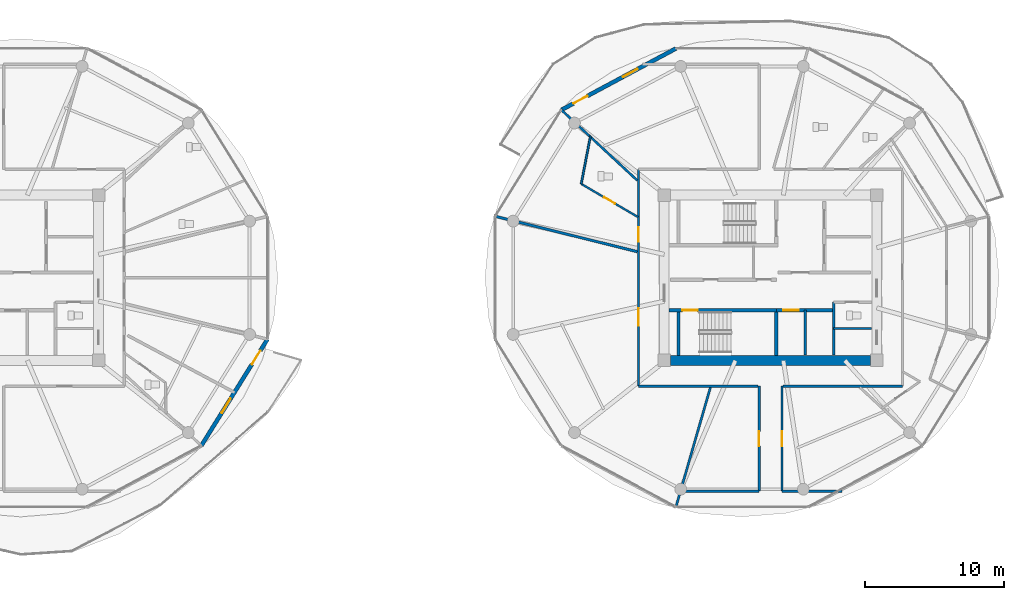
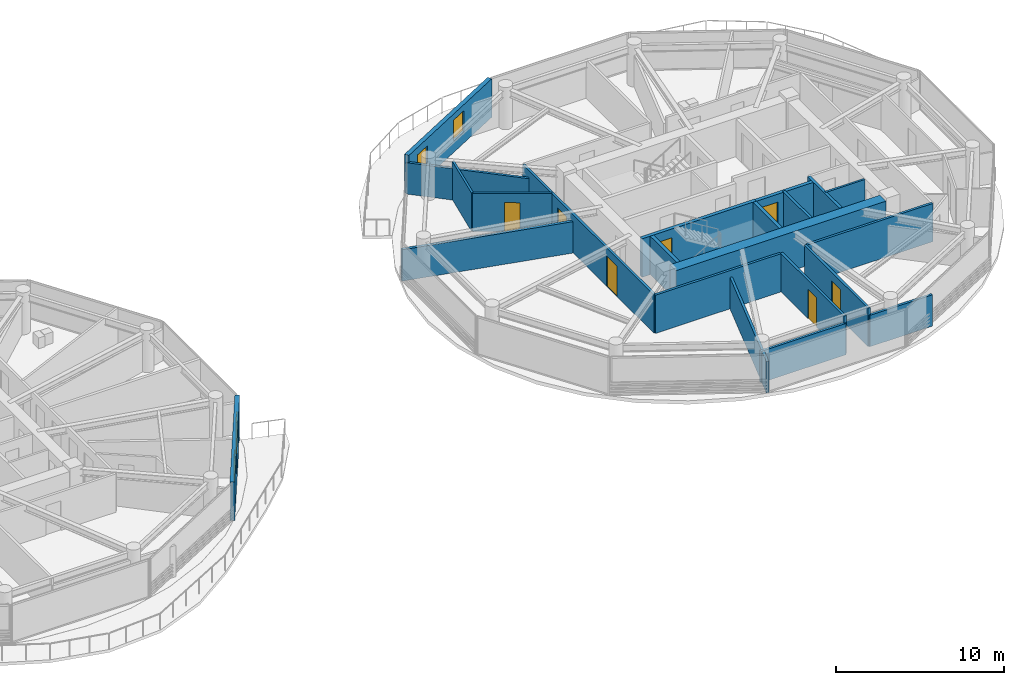
# One storey, part 15 of 24: 22 walls, 9 doors, 2 windows, 11 openings.
"""IFC4 building model written with IfcOpenShell, lengths in metres."""

from ifc_helpers import new_model, si_unit, direction, frame, frame_2d, origin, place, context, subcontext, project, spatial, rectangle, extrude, source, transform, mapped, material, layer, layer_set, type_object, type_shapes, element, fill, save


model = new_model("IFC4")

# Units and contexts
model_context = context("Model", 3, precision=1e-05, world=origin(), true_north=direction((0.0, 1.0)))
body_context = subcontext(model_context, "Body", "Model", "MODEL_VIEW")
ifc_project = project(units=[si_unit("LENGTHUNIT", "METRE"), si_unit("AREAUNIT", "SQUARE_METRE"), si_unit("VOLUMEUNIT", "CUBIC_METRE"), si_unit("PLANEANGLEUNIT", "RADIAN"), si_unit("MASSUNIT", "GRAM", prefix="KILO")], contexts=[model_context])

# Site, building, storey
site_placement = place(None, origin())
site = spatial("IfcSite", under=ifc_project, at=site_placement, CompositionType="ELEMENT")
building_placement = place(site_placement, origin())
building = spatial("IfcBuilding", under=site, at=building_placement, Name="Norrkilde Senior Care Towers", CompositionType="ELEMENT")
storey_placement = place(building_placement, frame((0.0, 0.0, 114.550048828125)))
storey = spatial("IfcBuildingStorey", under=building, at=storey_placement, Name="L35", CompositionType="ELEMENT", Elevation=114.550048828125)

# Wall
ifc_material_1 = material(Name="Concrete C60/75", Category="concrete")
ifc_layer_1 = layer(ifc_material_1, 0.719970703125)
ifc_layer_set_1 = layer_set([ifc_layer_1], Name="Concrete C60/75")
wall_type_1 = type_object("IfcWallType", Name="Core Shear Wall Z2 720", PredefinedType="SHEAR", material=ifc_layer_set_1)
shared_shape_1 = source(origin(), body_context, "Body", "SweptSolid", [
    extrude(rectangle(XDim=14.39990234375, YDim=0.719970703125, at=frame_2d((7.199951171875, 0.0))), origin(), (0.0, 0.0, 1.0), 2.7900390625),
])
type_shapes(wall_type_1, [shared_shape_1])
wall_1_placement = place(storey_placement, frame((35.199951171875, -5.949951171875, 0.0), z_axis=(0.0, 0.0, 1.0), x_axis=(-1.0, 0.0, 0.0)))
element("IfcWall", 1, at=wall_1_placement, inside=storey, type_object=wall_type_1, Name="L35 Core E South Shear Wall", PredefinedType="SHEAR", context=body_context, shape_type="MappedRepresentation", body=[
    mapped(shared_shape_1, transform((0.0, 0.0, 0.0), x_axis=(1.0, 0.0, 0.0), y_axis=(0.0, 1.0, 0.0), z_axis=(0.0, 0.0, 1.0), scale=1.0)),
])

# Wall, openings, door, window
ifc_material_2 = material(Name="Precast concrete C45/55", Category="concrete")
ifc_layer_2 = layer(ifc_material_2, 0.2900390625)
ifc_layer_set_2 = layer_set([ifc_layer_2], Name="Precast concrete C45/55")
wall_type_2 = type_object("IfcWallType", Name="Winter Garden Facade Wall 290", PredefinedType="SOLIDWALL", material=ifc_layer_set_2)
shared_shape_2 = source(origin(), body_context, "Body", "SweptSolid", [
    extrude(rectangle(XDim=9.3505859375, YDim=0.2900390625, at=frame_2d((4.67529296875, 0.0))), origin(), (0.0, 0.0, 1.0), 2.7900390625),
])
wall_2_placement = place(storey_placement, frame((12.953369140625, 12.077392578125, 0.0), z_axis=(0.0, 0.0, 1.0), x_axis=(0.881184411073, 0.472772708267, 0.0)))
wall_2 = element("IfcWall", 2, at=wall_2_placement, inside=storey, type_object=wall_type_2, Name="L35 Drum E Balcony Access Wall 03", PredefinedType="SOLIDWALL", context=body_context, shape_type="MappedRepresentation", body=[
    mapped(shared_shape_2, transform((0.0, 0.0, 0.0), x_axis=(1.0, 0.0, 0.0), y_axis=(0.0, 1.0, 0.0), z_axis=(0.0, 0.0, 1.0), scale=1.0)),
])
opening_1_placement = place(wall_2_placement, frame((0.97998046875, 0.0, 0.0)))
opening_1 = element("IfcOpeningElement", 3, at=opening_1_placement, cuts=wall_2, Name="Opening D-09", PredefinedType="OPENING", context=body_context, shape_type="SweptSolid", body=[
    extrude(rectangle(XDim=1.14990234375, YDim=2.25, at=frame_2d((0.574951171875, 1.125))), frame((0.0, 0.155029296875, 0.0), z_axis=(0.0, -1.0, 0.0), x_axis=(1.0, 0.0, 0.0)), (0.0, 0.0, 1.0), 0.31005859375),
])
opening_2_placement = place(wall_2_placement, frame((5.025146484375, 0.0, 0.85009765625)))
opening_2 = element("IfcOpeningElement", 4, at=opening_2_placement, cuts=wall_2, Name="Opening WN-07", PredefinedType="OPENING", context=body_context, shape_type="SweptSolid", body=[
    extrude(rectangle(XDim=1.199951171875, YDim=1.5, at=frame_2d((0.60009765625, 0.75))), frame((0.0, 0.155029296875, 0.0), z_axis=(0.0, -1.0, 0.0), x_axis=(1.0, 0.0, 0.0)), (0.0, 0.0, 1.0), 0.31005859375),
])
ifc_material_3 = material(Name="Anodised Aluminium", Category="aluminium")
door_type_1 = type_object("IfcDoorType", Name="Terrace and Balcony Glazed Door 1150x2250", OperationType="NOTDEFINED", PredefinedType="DOOR", material=ifc_material_3)
shared_shape_3 = source(origin(), body_context, "Body", "SweptSolid", [
    extrude(rectangle(XDim=1.14990234375, YDim=2.25, at=frame_2d((0.574951171875, 1.125))), frame((0.0, 0.02490234375, 0.0), z_axis=(0.0, -1.0, 0.0), x_axis=(1.0, 0.0, 0.0)), (0.0, 0.0, 1.0), 0.050048828125),
])
type_shapes(door_type_1, [shared_shape_3])
door_1_placement = place(opening_1_placement, origin())
door_1 = element("IfcDoor", 5, at=door_1_placement, inside=storey, type_object=door_type_1, Name="L35 Drum E Outdoor Terrace Door 03", OperationType="SINGLE_SWING_RIGHT", OverallHeight=2.25, OverallWidth=1.14990234375, PredefinedType="DOOR", context=body_context, shape_type="MappedRepresentation", body=[
    mapped(shared_shape_3, transform((0.0, 0.0, 0.0), x_axis=(1.0, 0.0, 0.0), y_axis=(0.0, 1.0, 0.0), z_axis=(0.0, 0.0, 1.0), scale=1.0)),
])
fill(opening_1, door_1)
ifc_material_4 = material(Name="Triple Low-E Insulated Glazing", Category="glass")
window_type = type_object("IfcWindowType", Name="Stairwell Smoke Vent Window 1200x1500", PartitioningType="SINGLE_PANEL", PredefinedType="WINDOW", material=ifc_material_4)
shared_shape_4 = source(origin(), body_context, "Body", "SweptSolid", [
    extrude(rectangle(XDim=1.199951171875, YDim=1.5, at=frame_2d((0.60009765625, 0.75))), frame((0.0, 0.030029296875, 0.0), z_axis=(0.0, -1.0, 0.0), x_axis=(1.0, 0.0, 0.0)), (0.0, 0.0, 1.0), 0.06005859375),
])
type_shapes(window_type, [shared_shape_4])
window_1_placement = place(opening_2_placement, origin())
window_1 = element("IfcWindow", 6, at=window_1_placement, inside=storey, type_object=window_type, Name="L35 Drum E Winter Garden Window 03", OverallHeight=1.5, OverallWidth=1.199951171875, PartitioningType="SINGLE_PANEL", PredefinedType="WINDOW", context=body_context, shape_type="MappedRepresentation", body=[
    mapped(shared_shape_4, transform((0.0, 0.0, 0.0), x_axis=(1.0, 0.0, 0.0), y_axis=(0.0, 1.0, 0.0), z_axis=(0.0, 0.0, 1.0), scale=1.0)),
])
fill(opening_2, window_1)

shared_shape_5 = source(origin(), body_context, "Body", "SweptSolid", [
    extrude(rectangle(XDim=9.01416015625, YDim=0.2900390625, at=frame_2d((4.507080078125, 0.0))), origin(), (0.0, 0.0, 1.0), 2.7900390625),
])
type_shapes(wall_type_2, [shared_shape_2, shared_shape_5])
wall_3_placement = place(storey_placement, frame((-8.1962890625, -4.420654296875, 0.0), z_axis=(0.0, 0.0, 1.0), x_axis=(-0.527732945084, -0.849410347637, 0.0)))
wall_3 = element("IfcWall", 7, at=wall_3_placement, inside=storey, type_object=wall_type_2, Name="L35 Drum W Balcony Access Wall 10", PredefinedType="SOLIDWALL", context=body_context, shape_type="MappedRepresentation", body=[
    mapped(shared_shape_5, transform((0.0, 0.0, 0.0), x_axis=(1.0, 0.0, 0.0), y_axis=(0.0, 1.0, 0.0), z_axis=(0.0, 0.0, 1.0), scale=1.0)),
])
opening_3_placement = place(wall_3_placement, frame((0.97998046875, 0.0, 0.0)))
opening_3 = element("IfcOpeningElement", 8, at=opening_3_placement, cuts=wall_3, Name="Opening D-09", PredefinedType="OPENING", context=body_context, shape_type="SweptSolid", body=[
    extrude(rectangle(XDim=1.14990234375, YDim=2.25, at=frame_2d((0.574951171875, 1.125))), frame((0.0, 0.155029296875, 0.0), z_axis=(0.0, -1.0, 0.0), x_axis=(1.0, 0.0, 0.0)), (0.0, 0.0, 1.0), 0.31005859375),
])
opening_4_placement = place(wall_3_placement, frame((5.037109375, 0.0, 0.85009765625)))
opening_4 = element("IfcOpeningElement", 9, at=opening_4_placement, cuts=wall_3, Name="Opening WN-07", PredefinedType="OPENING", context=body_context, shape_type="SweptSolid", body=[
    extrude(rectangle(XDim=1.199951171875, YDim=1.5, at=frame_2d((0.60009765625, 0.75))), frame((0.0, 0.155029296875, 0.0), z_axis=(0.0, -1.0, 0.0), x_axis=(1.0, 0.0, 0.0)), (0.0, 0.0, 1.0), 0.31005859375),
])
door_2_placement = place(opening_3_placement, origin())
door_2 = element("IfcDoor", 10, at=door_2_placement, inside=storey, type_object=door_type_1, Name="L35 Drum W Outdoor Terrace Door 10", OperationType="SINGLE_SWING_LEFT", OverallHeight=2.25, OverallWidth=1.14990234375, PredefinedType="DOOR", context=body_context, shape_type="MappedRepresentation", body=[
    mapped(shared_shape_3, transform((0.0, 0.0, 0.0), x_axis=(1.0, 0.0, 0.0), y_axis=(0.0, 1.0, 0.0), z_axis=(0.0, 0.0, 1.0), scale=1.0)),
])
fill(opening_3, door_2)
window_2_placement = place(opening_4_placement, origin())
window_2 = element("IfcWindow", 11, at=window_2_placement, inside=storey, type_object=window_type, Name="L35 Drum W Winter Garden Window 10", OverallHeight=1.5, OverallWidth=1.199951171875, PartitioningType="SINGLE_PANEL", PredefinedType="WINDOW", context=body_context, shape_type="MappedRepresentation", body=[
    mapped(shared_shape_4, transform((0.0, 0.0, 0.0), x_axis=(1.0, 0.0, 0.0), y_axis=(0.0, 1.0, 0.0), z_axis=(0.0, 0.0, 1.0), scale=1.0)),
])
fill(opening_4, window_2)

# Wall
ifc_material_5 = material(Name="Concrete C45/55", Category="concrete")
ifc_layer_3 = layer(ifc_material_5, 0.199951171875)
ifc_layer_set_3 = layer_set([ifc_layer_3], Name="Concrete C45/55")
wall_type_3 = type_object("IfcWallType", Name="Shaft Division and Plant Partition 200", PredefinedType="PARTITIONING", material=ifc_layer_set_3)
shared_shape_6 = source(origin(), body_context, "Body", "SweptSolid", [
    extrude(rectangle(XDim=3.800048828125, YDim=0.199951171875, at=frame_2d((1.89990234375, 0.0))), origin(), (0.0, 0.0, 1.0), 2.77490234375),
])
type_shapes(wall_type_3, [shared_shape_6])
wall_4_placement = place(storey_placement, frame((32.550048828125, -5.550048828125, 0.0), z_axis=(0.0, 0.0, 1.0), x_axis=(0.0, 1.0, 0.0)))
element("IfcWall", 12, at=wall_4_placement, inside=storey, type_object=wall_type_3, Name="WL-INT-L35-E-PKBE", PredefinedType="PARTITIONING", context=body_context, shape_type="MappedRepresentation", body=[
    mapped(shared_shape_6, transform((0.0, 0.0, 0.0), x_axis=(1.0, 0.0, 0.0), y_axis=(0.0, 1.0, 0.0), z_axis=(0.0, 0.0, 1.0), scale=1.0)),
])

# Wall, opening, door
ifc_layer_4 = layer(ifc_material_5, 0.239990234375)
ifc_layer_set_4 = layer_set([ifc_layer_4], Name="Concrete C45/55")
wall_type_4 = type_object("IfcWallType", Name="Lift and Plant Rated Enclosure Partition 240", PredefinedType="PARTITIONING", material=ifc_layer_set_4)
shared_shape_7 = source(origin(), body_context, "Body", "SweptSolid", [
    extrude(rectangle(XDim=4.130126953125, YDim=0.239990234375, at=frame_2d((2.06494140625, 0.0))), origin(), (0.0, 0.0, 1.0), 2.77490234375),
])
type_shapes(wall_type_4, [shared_shape_7])
wall_5_placement = place(storey_placement, frame((28.419921875, -2.330078125, 0.0), z_axis=(0.0, 0.0, 1.0), x_axis=(1.0, 0.0, 0.0)))
wall_5 = element("IfcWall", 13, at=wall_5_placement, inside=storey, type_object=wall_type_4, Name="WL-INT-L35-E-PKBN", PredefinedType="PARTITIONING", context=body_context, shape_type="MappedRepresentation", body=[
    mapped(shared_shape_7, transform((0.0, 0.0, 0.0), x_axis=(1.0, 0.0, 0.0), y_axis=(0.0, 1.0, 0.0), z_axis=(0.0, 0.0, 1.0), scale=1.0)),
])
opening_5_placement = place(wall_5_placement, frame((0.5, 0.0, 0.0)))
opening_5 = element("IfcOpeningElement", 14, at=opening_5_placement, cuts=wall_5, Name="Opening LD-01", PredefinedType="OPENING", context=body_context, shape_type="SweptSolid", body=[
    extrude(rectangle(XDim=1.10009765625, YDim=2.199951171875, at=frame_2d((0.550048828125, 1.10009765625))), frame((0.0, 0.1298828125, 0.0), z_axis=(0.0, -1.0, 0.0), x_axis=(1.0, 0.0, 0.0)), (0.0, 0.0, 1.0), 0.260009765625),
])
ifc_material_6 = material(Name="Stainless Steel", Category="steel")
door_type_2 = type_object("IfcDoorType", Name="Lift Landing Sliding Door 1100x2200", OperationType="NOTDEFINED", PredefinedType="DOOR", material=ifc_material_6)
shared_shape_8 = source(origin(), body_context, "Body", "SweptSolid", [
    extrude(rectangle(XDim=1.10009765625, YDim=2.199951171875, at=frame_2d((0.550048828125, 1.10009765625))), frame((0.0, 0.02490234375, 0.0), z_axis=(0.0, -1.0, 0.0), x_axis=(1.0, 0.0, 0.0)), (0.0, 0.0, 1.0), 0.050048828125),
])
type_shapes(door_type_2, [shared_shape_8])
door_3_placement = place(opening_5_placement, frame((1.10009765625, 0.0, 0.0), z_axis=(0.0, 0.0, 1.0), x_axis=(-1.0, 0.0, 0.0)))
door_3 = element("IfcDoor", 15, at=door_3_placement, inside=storey, type_object=door_type_2, Name="L35 Passenger Lift E3 Landing Door", OperationType="SLIDING_TO_LEFT", OverallHeight=2.199951171875, OverallWidth=1.10009765625, PredefinedType="DOOR", context=body_context, shape_type="MappedRepresentation", body=[
    mapped(shared_shape_8, transform((0.0, 0.0, 0.0), x_axis=(1.0, 0.0, 0.0), y_axis=(0.0, 1.0, 0.0), z_axis=(0.0, 0.0, 1.0), scale=1.0)),
])
fill(opening_5, door_3)

# Walls
ifc_layer_5 = layer(ifc_material_5, 0.179931640625)
ifc_layer_set_5 = layer_set([ifc_layer_5], Name="Concrete C45/55")
wall_type_5 = type_object("IfcWallType", Name="Hoistway Division Rated Partition 180", PredefinedType="PARTITIONING", material=ifc_layer_set_5)
shared_shape_9 = source(origin(), body_context, "Body", "SweptSolid", [
    extrude(rectangle(XDim=3.219970703125, YDim=0.179931640625, at=frame_2d((1.60986328125, 0.0))), origin(), (0.0, 0.0, 1.0), 2.77490234375),
])
type_shapes(wall_type_5, [shared_shape_9])
wall_6_placement = place(storey_placement, frame((30.5, -5.550048828125, 0.0), z_axis=(0.0, 0.0, 1.0), x_axis=(0.0, 1.0, 0.0)))
element("IfcWall", 16, at=wall_6_placement, inside=storey, type_object=wall_type_5, Name="WL-INT-L35-E-PL34", PredefinedType="PARTITIONING", context=body_context, shape_type="MappedRepresentation", body=[
    mapped(shared_shape_9, transform((0.0, 0.0, 0.0), x_axis=(1.0, 0.0, 0.0), y_axis=(0.0, 1.0, 0.0), z_axis=(0.0, 0.0, 1.0), scale=1.0)),
])
ifc_material_7 = material(Name="Gypsum Acoustic Board")
ifc_layer_6 = layer(ifc_material_7, 0.139892578125)
ifc_layer_set_6 = layer_set([ifc_layer_6], Name="Gypsum Acoustic Board")
wall_type_6 = type_object("IfcWallType", Name="En-suite Wet Room Wall 140", PredefinedType="PARTITIONING", material=ifc_layer_set_6)
shared_shape_10 = source(origin(), body_context, "Body", "SweptSolid", [
    extrude(rectangle(XDim=2.699951171875, YDim=0.139892578125, at=frame_2d((1.35009765625, 0.0))), origin(), (0.0, 0.0, 1.0), 2.77490234375),
])
wall_7_placement = place(storey_placement, frame((32.550048828125, -3.64990234375, 0.0), z_axis=(0.0, 0.0, 1.0), x_axis=(1.0, 0.0, 0.0)))
element("IfcWall", 17, at=wall_7_placement, inside=storey, type_object=wall_type_6, Name="WL-INT-L35-E-CS2H", PredefinedType="PARTITIONING", context=body_context, shape_type="MappedRepresentation", body=[
    mapped(shared_shape_10, transform((0.0, 0.0, 0.0), x_axis=(1.0, 0.0, 0.0), y_axis=(0.0, 1.0, 0.0), z_axis=(0.0, 0.0, 1.0), scale=1.0)),
])

# Wall, openings, doors
ifc_layer_7 = layer(ifc_material_7, 0.1650390625)
ifc_layer_set_7 = layer_set([ifc_layer_7], Name="Gypsum Acoustic Board")
wall_type_7 = type_object("IfcWallType", Name="Corridor Rated Partition 165", PredefinedType="PARTITIONING", material=ifc_layer_set_7)
shared_shape_11 = source(origin(), body_context, "Body", "SweptSolid", [
    extrude(rectangle(XDim=15.60009765625, YDim=0.1650390625, at=frame_2d((7.800048828125, 0.0))), origin(), (0.0, 0.0, 1.0), 2.77490234375),
])
wall_8_placement = place(storey_placement, frame((18.5, -7.800048828125, 0.0), z_axis=(0.0, 0.0, 1.0), x_axis=(0.0, 1.0, 0.0)))
wall_8 = element("IfcWall", 18, at=wall_8_placement, inside=storey, type_object=wall_type_7, Name="WL-INT-L35-E-CRW-W-0", PredefinedType="PARTITIONING", context=body_context, shape_type="MappedRepresentation", body=[
    mapped(shared_shape_11, transform((0.0, 0.0, 0.0), x_axis=(1.0, 0.0, 0.0), y_axis=(0.0, 1.0, 0.0), z_axis=(0.0, 0.0, 1.0), scale=1.0)),
])
opening_6_placement = place(wall_8_placement, frame((10.3828125, 0.0, 0.0)))
opening_6 = element("IfcOpeningElement", 19, at=opening_6_placement, cuts=wall_8, Name="Opening D-06", PredefinedType="OPENING", context=body_context, shape_type="SweptSolid", body=[
    extrude(rectangle(XDim=1.050048828125, YDim=2.14990234375, at=frame_2d((0.52490234375, 1.074951171875))), frame((0.0, 0.092529296875, 0.0), z_axis=(0.0, -1.0, 0.0), x_axis=(1.0, 0.0, 0.0)), (0.0, 0.0, 1.0), 0.18505859375),
])
opening_7_placement = place(wall_8_placement, frame((4.353271484375, 0.0, 0.0)))
opening_7 = element("IfcOpeningElement", 20, at=opening_7_placement, cuts=wall_8, Name="Opening D-05", PredefinedType="OPENING", context=body_context, shape_type="SweptSolid", body=[
    extrude(rectangle(XDim=1.25, YDim=2.199951171875, at=frame_2d((0.625, 1.10009765625))), frame((0.0, 0.092529296875, 0.0), z_axis=(0.0, -1.0, 0.0), x_axis=(1.0, 0.0, 0.0)), (0.0, 0.0, 1.0), 0.18505859375),
])
ifc_material_8 = material(Name="Nordic Ash Timber", Category="wood")
door_type_3 = type_object("IfcDoorType", Name="Care Bedroom Bariatric Door 1250x2200", OperationType="NOTDEFINED", PredefinedType="DOOR", material=ifc_material_8)
shared_shape_12 = source(origin(), body_context, "Body", "SweptSolid", [
    extrude(rectangle(XDim=1.25, YDim=2.199951171875, at=frame_2d((0.625, 1.10009765625))), frame((0.0, 0.02490234375, 0.0), z_axis=(0.0, -1.0, 0.0), x_axis=(1.0, 0.0, 0.0)), (0.0, 0.0, 1.0), 0.050048828125),
])
type_shapes(door_type_3, [shared_shape_12])
door_4_placement = place(opening_7_placement, frame((1.25, 0.0, 0.0), z_axis=(0.0, 0.0, 1.0), x_axis=(-1.0, 0.0, 0.0)))
door_4 = element("IfcDoor", 21, at=door_4_placement, inside=storey, type_object=door_type_3, Name="L35 Senior Wellness Library Lounge Door", OperationType="SINGLE_SWING_RIGHT", OverallHeight=2.199951171875, OverallWidth=1.25, PredefinedType="DOOR", context=body_context, shape_type="MappedRepresentation", body=[
    mapped(shared_shape_12, transform((0.0, 0.0, 0.0), x_axis=(1.0, 0.0, 0.0), y_axis=(0.0, 1.0, 0.0), z_axis=(0.0, 0.0, 1.0), scale=1.0)),
])
fill(opening_7, door_4)
door_type_4 = type_object("IfcDoorType", Name="Apartment Entrance Fire Door 1050x2150", OperationType="NOTDEFINED", PredefinedType="DOOR", material=ifc_material_8)
shared_shape_13 = source(origin(), body_context, "Body", "SweptSolid", [
    extrude(rectangle(XDim=1.050048828125, YDim=2.14990234375, at=frame_2d((0.52490234375, 1.074951171875))), frame((0.0, 0.02490234375, 0.0), z_axis=(0.0, -1.0, 0.0), x_axis=(1.0, 0.0, 0.0)), (0.0, 0.0, 1.0), 0.050048828125),
])
type_shapes(door_type_4, [shared_shape_13])
door_5_placement = place(opening_6_placement, frame((1.050048828125, 0.0, 0.0), z_axis=(0.0, 0.0, 1.0), x_axis=(-1.0, 0.0, 0.0)))
door_5 = element("IfcDoor", 22, at=door_5_placement, inside=storey, type_object=door_type_4, Name="L35 Studio 35A Entrance Door", OperationType="SINGLE_SWING_LEFT", OverallHeight=2.14990234375, OverallWidth=1.050048828125, PredefinedType="DOOR", context=body_context, shape_type="MappedRepresentation", body=[
    mapped(shared_shape_13, transform((0.0, 0.0, 0.0), x_axis=(1.0, 0.0, 0.0), y_axis=(0.0, 1.0, 0.0), z_axis=(0.0, 0.0, 1.0), scale=1.0)),
])
fill(opening_6, door_5)

# Wall, opening, door
ifc_layer_8 = layer(ifc_material_5, 0.239990234375)
ifc_layer_set_8 = layer_set([ifc_layer_8], Name="Concrete C45/55")
wall_type_8 = type_object("IfcWallType", Name="Shaft and Stair Enclosure Wall 240", PredefinedType="PARTITIONING", material=ifc_layer_set_8)
shared_shape_14 = source(origin(), body_context, "Body", "SweptSolid", [
    extrude(rectangle(XDim=7.830078125, YDim=0.239990234375, at=frame_2d((3.9150390625, 0.0))), origin(), (0.0, 0.0, 1.0), 2.7900390625),
])
wall_9_placement = place(storey_placement, frame((20.7099609375, -2.330078125, 0.0), z_axis=(0.0, 0.0, 1.0), x_axis=(1.0, 0.0, 0.0)))
wall_9 = element("IfcWall", 23, at=wall_9_placement, inside=storey, type_object=wall_type_8, Name="WL-INT-L35-E-ST2N", PredefinedType="PARTITIONING", context=body_context, shape_type="MappedRepresentation", body=[
    mapped(shared_shape_14, transform((0.0, 0.0, 0.0), x_axis=(1.0, 0.0, 0.0), y_axis=(0.0, 1.0, 0.0), z_axis=(0.0, 0.0, 1.0), scale=1.0)),
])
opening_8_placement = place(wall_9_placement, frame((0.949951171875, 0.0, 0.0)))
opening_8 = element("IfcOpeningElement", 24, at=opening_8_placement, cuts=wall_9, Name="Opening D-03", PredefinedType="OPENING", context=body_context, shape_type="SweptSolid", body=[
    extrude(rectangle(XDim=1.10009765625, YDim=2.14990234375, at=frame_2d((0.550048828125, 1.074951171875))), frame((0.0, 0.1298828125, 0.0), z_axis=(0.0, -1.0, 0.0), x_axis=(1.0, 0.0, 0.0)), (0.0, 0.0, 1.0), 0.260009765625),
])
ifc_material_9 = material(Name="Galvanised Painted Steel", Category="steel")
door_type_5 = type_object("IfcDoorType", Name="Stairwell Protected Fire Door 1100x2150", OperationType="NOTDEFINED", PredefinedType="DOOR", material=ifc_material_9)
shared_shape_15 = source(origin(), body_context, "Body", "SweptSolid", [
    extrude(rectangle(XDim=1.10009765625, YDim=2.14990234375, at=frame_2d((0.550048828125, 1.074951171875))), frame((0.0, 0.02490234375, 0.0), z_axis=(0.0, -1.0, 0.0), x_axis=(1.0, 0.0, 0.0)), (0.0, 0.0, 1.0), 0.050048828125),
])
type_shapes(door_type_5, [shared_shape_15])
door_6_placement = place(opening_8_placement, frame((1.10009765625, 0.0, 0.0), z_axis=(0.0, 0.0, 1.0), x_axis=(-1.0, 0.0, 0.0)))
door_6 = element("IfcDoor", 25, at=door_6_placement, inside=storey, type_object=door_type_5, Name="L35 Stair E2 Fire Door", OperationType="SINGLE_SWING_RIGHT", OverallHeight=2.14990234375, OverallWidth=1.10009765625, PredefinedType="DOOR", context=body_context, shape_type="MappedRepresentation", body=[
    mapped(shared_shape_15, transform((0.0, 0.0, 0.0), x_axis=(1.0, 0.0, 0.0), y_axis=(0.0, 1.0, 0.0), z_axis=(0.0, 0.0, 1.0), scale=1.0)),
])
fill(opening_8, door_6)

# Walls
shared_shape_16 = source(origin(), body_context, "Body", "SweptSolid", [
    extrude(rectangle(XDim=3.14013671875, YDim=0.239990234375, at=frame_2d((1.570068359375, 0.0))), origin(), (0.0, 0.0, 1.0), 2.7900390625),
])
type_shapes(wall_type_8, [shared_shape_14, shared_shape_16])
for number, where, z_axis, x_axis, name in (
    (26, (21.3798828125, -5.590087890625, 0.0), (0.0, 0.0, 1.0), (0.0, 1.0, 0.0), "WL-INT-L35-E-ST2W"),
    (27, (28.419921875, -5.590087890625, 0.0), (0.0, 0.0, 1.0), (0.0, 1.0, 0.0), "WL-INT-L35-E-ST2E"),
):
    element("IfcWall", number, at=place(storey_placement, frame(where, z_axis=z_axis, x_axis=x_axis)), inside=storey, type_object=wall_type_8, Name=name, PredefinedType="PARTITIONING", context=body_context, shape_type="MappedRepresentation", body=[
        mapped(shared_shape_16, transform((0.0, 0.0, 0.0), x_axis=(1.0, 0.0, 0.0), y_axis=(0.0, 1.0, 0.0), z_axis=(0.0, 0.0, 1.0), scale=1.0)),
    ])
shared_shape_17 = source(origin(), body_context, "Body", "SweptSolid", [
    extrude(rectangle(XDim=8.60009765625, YDim=0.1650390625, at=frame_2d((4.300048828125, 0.0))), origin(), (0.0, 0.0, 1.0), 2.77490234375),
])
for number, where, z_axis, x_axis, name in (
    (28, (37.5, -7.800048828125, 0.0), (0.0, 0.0, 1.0), (-1.0, 0.0, 0.0), "WL-INT-L35-E-CRW-S-0"),
    (29, (27.10009765625, -7.800048828125, 0.0), (0.0, 0.0, 1.0), (-1.0, 0.0, 0.0), "WL-INT-L35-E-CRW-S-1"),
):
    element("IfcWall", number, at=place(storey_placement, frame(where, z_axis=z_axis, x_axis=x_axis)), inside=storey, type_object=wall_type_7, Name=name, PredefinedType="PARTITIONING", context=body_context, shape_type="MappedRepresentation", body=[
        mapped(shared_shape_17, transform((0.0, 0.0, 0.0), x_axis=(1.0, 0.0, 0.0), y_axis=(0.0, 1.0, 0.0), z_axis=(0.0, 0.0, 1.0), scale=1.0)),
    ])
shared_shape_18 = source(origin(), body_context, "Body", "SweptSolid", [
    extrude(rectangle(XDim=8.9892578125, YDim=0.1650390625, at=frame_2d((4.49462890625, 0.0))), origin(), (0.0, 0.0, 1.0), 2.27490234375),
])
wall_10_placement = place(storey_placement, frame((23.677978515625, -7.8798828125, 0.0), z_axis=(0.0, 0.0, 1.0), x_axis=(-0.27702323008, -0.960863221274, 0.0)))
element("IfcWall", 30, at=wall_10_placement, inside=storey, type_object=wall_type_7, Name="WL-INT-L35-E-DEM-08-0", PredefinedType="PARTITIONING", context=body_context, shape_type="MappedRepresentation", body=[
    mapped(shared_shape_18, transform((0.0, 0.0, 0.0), x_axis=(1.0, 0.0, 0.0), y_axis=(0.0, 1.0, 0.0), z_axis=(0.0, 0.0, 1.0), scale=1.0)),
])
shared_shape_19 = source(origin(), body_context, "Body", "SweptSolid", [
    extrude(rectangle(XDim=7.482177734375, YDim=0.1650390625, at=frame_2d((3.7412109375, 0.0))), origin(), (0.0, 0.0, 1.0), 2.27490234375),
])
wall_11_placement = place(storey_placement, frame((18.419921875, 6.998046875, 0.0), z_axis=(0.0, 0.0, 1.0), x_axis=(-0.732508698043, 0.680757671489, 0.0)))
element("IfcWall", 31, at=wall_11_placement, inside=storey, type_object=wall_type_7, Name="WL-INT-L35-E-DEM-04-0", PredefinedType="PARTITIONING", context=body_context, shape_type="MappedRepresentation", body=[
    mapped(shared_shape_19, transform((0.0, 0.0, 0.0), x_axis=(1.0, 0.0, 0.0), y_axis=(0.0, 1.0, 0.0), z_axis=(0.0, 0.0, 1.0), scale=1.0)),
])

# Wall, opening, door
shared_shape_20 = source(origin(), body_context, "Body", "SweptSolid", [
    extrude(rectangle(XDim=7.56005859375, YDim=0.1650390625, at=frame_2d((3.780029296875, 0.0))), origin(), (0.0, 0.0, 1.0), 2.77490234375),
])
wall_12_placement = place(storey_placement, frame((27.179931640625, -15.360107421875, 0.0), z_axis=(0.0, 0.0, 1.0), x_axis=(0.0, 1.0, 0.0)))
wall_12 = element("IfcWall", 32, at=wall_12_placement, inside=storey, type_object=wall_type_7, Name="WL-INT-L35-E-PKW-SWL", PredefinedType="PARTITIONING", context=body_context, shape_type="MappedRepresentation", body=[
    mapped(shared_shape_20, transform((0.0, 0.0, 0.0), x_axis=(1.0, 0.0, 0.0), y_axis=(0.0, 1.0, 0.0), z_axis=(0.0, 0.0, 1.0), scale=1.0)),
])
opening_9_placement = place(wall_12_placement, frame((3.2548828125, 0.0, 0.0)))
opening_9 = element("IfcOpeningElement", 33, at=opening_9_placement, cuts=wall_12, Name="Opening D-06", PredefinedType="OPENING", context=body_context, shape_type="SweptSolid", body=[
    extrude(rectangle(XDim=1.050048828125, YDim=2.14990234375, at=frame_2d((0.52490234375, 1.074951171875))), frame((0.0, 0.092529296875, 0.0), z_axis=(0.0, -1.0, 0.0), x_axis=(1.0, 0.0, 0.0)), (0.0, 0.0, 1.0), 0.18505859375),
])
door_7_placement = place(opening_9_placement, frame((1.050048828125, 0.0, 0.0), z_axis=(0.0, 0.0, 1.0), x_axis=(-1.0, 0.0, 0.0)))
door_7 = element("IfcDoor", 34, at=door_7_placement, inside=storey, type_object=door_type_4, Name="L35 Reading Lounge SWL Door", OperationType="SINGLE_SWING_RIGHT", OverallHeight=2.14990234375, OverallWidth=1.050048828125, PredefinedType="DOOR", context=body_context, shape_type="MappedRepresentation", body=[
    mapped(shared_shape_13, transform((0.0, 0.0, 0.0), x_axis=(1.0, 0.0, 0.0), y_axis=(0.0, 1.0, 0.0), z_axis=(0.0, 0.0, 1.0), scale=1.0)),
])
fill(opening_9, door_7)

wall_13_placement = place(storey_placement, frame((28.820068359375, -15.360107421875, 0.0), z_axis=(0.0, 0.0, 1.0), x_axis=(0.0, 1.0, 0.0)))
wall_13 = element("IfcWall", 35, at=wall_13_placement, inside=storey, type_object=wall_type_7, Name="WL-INT-L35-E-PKW-SEL", PredefinedType="PARTITIONING", context=body_context, shape_type="MappedRepresentation", body=[
    mapped(shared_shape_20, transform((0.0, 0.0, 0.0), x_axis=(1.0, 0.0, 0.0), y_axis=(0.0, 1.0, 0.0), z_axis=(0.0, 0.0, 1.0), scale=1.0)),
])
opening_10_placement = place(wall_13_placement, frame((3.2548828125, 0.0, 0.0)))
opening_10 = element("IfcOpeningElement", 36, at=opening_10_placement, cuts=wall_13, Name="Opening D-06", PredefinedType="OPENING", context=body_context, shape_type="SweptSolid", body=[
    extrude(rectangle(XDim=1.050048828125, YDim=2.14990234375, at=frame_2d((0.52490234375, 1.074951171875))), frame((0.0, 0.092529296875, 0.0), z_axis=(0.0, -1.0, 0.0), x_axis=(1.0, 0.0, 0.0)), (0.0, 0.0, 1.0), 0.18505859375),
])
door_8_placement = place(opening_10_placement, frame((1.050048828125, 0.0, 0.0), z_axis=(0.0, 0.0, 1.0), x_axis=(-1.0, 0.0, 0.0)))
door_8 = element("IfcDoor", 37, at=door_8_placement, inside=storey, type_object=door_type_4, Name="L35 Reading Lounge SEL Door", OperationType="SINGLE_SWING_RIGHT", OverallHeight=2.14990234375, OverallWidth=1.050048828125, PredefinedType="DOOR", context=body_context, shape_type="MappedRepresentation", body=[
    mapped(shared_shape_13, transform((0.0, 0.0, 0.0), x_axis=(1.0, 0.0, 0.0), y_axis=(0.0, 1.0, 0.0), z_axis=(0.0, 0.0, 1.0), scale=1.0)),
])
fill(opening_10, door_8)

# Walls
shared_shape_21 = source(origin(), body_context, "Body", "SweptSolid", [
    extrude(rectangle(XDim=4.306884765625, YDim=0.1650390625, at=frame_2d((2.1533203125, 0.0))), origin(), (0.0, 0.0, 1.0), 2.27490234375),
])
wall_14_placement = place(storey_placement, frame((28.820068359375, -15.360107421875, 0.0), z_axis=(0.0, 0.0, 1.0), x_axis=(1.0, 0.0, 0.0)))
element("IfcWall", 38, at=wall_14_placement, inside=storey, type_object=wall_type_7, Name="WL-INT-L35-E-PKH-SEL-0", PredefinedType="PARTITIONING", context=body_context, shape_type="MappedRepresentation", body=[
    mapped(shared_shape_21, transform((0.0, 0.0, 0.0), x_axis=(1.0, 0.0, 0.0), y_axis=(0.0, 1.0, 0.0), z_axis=(0.0, 0.0, 1.0), scale=1.0)),
])
shared_shape_22 = source(origin(), body_context, "Body", "SweptSolid", [
    extrude(rectangle(XDim=5.81396484375, YDim=0.1650390625, at=frame_2d((2.906982421875, 0.0))), origin(), (0.0, 0.0, 1.0), 2.27490234375),
])
type_shapes(wall_type_7, [shared_shape_11, shared_shape_17, shared_shape_18, shared_shape_19, shared_shape_20, shared_shape_21, shared_shape_22])
wall_15_placement = place(storey_placement, frame((21.365966796875, -15.360107421875, 0.0), z_axis=(0.0, 0.0, 1.0), x_axis=(1.0, 0.0, 0.0)))
element("IfcWall", 39, at=wall_15_placement, inside=storey, type_object=wall_type_7, Name="WL-INT-L35-E-PKH-SWL-0", PredefinedType="PARTITIONING", context=body_context, shape_type="MappedRepresentation", body=[
    mapped(shared_shape_22, transform((0.0, 0.0, 0.0), x_axis=(1.0, 0.0, 0.0), y_axis=(0.0, 1.0, 0.0), z_axis=(0.0, 0.0, 1.0), scale=1.0)),
])
ifc_layer_9 = layer(ifc_material_7, 0.18994140625)
ifc_layer_set_9 = layer_set([ifc_layer_9], Name="Gypsum Acoustic Board")
wall_type_9 = type_object("IfcWallType", Name="Unit Demising Acoustic Wall 190", PredefinedType="PARTITIONING", material=ifc_layer_set_9)
shared_shape_23 = source(origin(), body_context, "Body", "SweptSolid", [
    extrude(rectangle(XDim=10.5556640625, YDim=0.18994140625, at=frame_2d((5.27783203125, 0.0))), origin(), (0.0, 0.0, 1.0), 2.27490234375),
])
type_shapes(wall_type_9, [shared_shape_23])
wall_16_placement = place(storey_placement, frame((18.419921875, 1.875, 0.0), z_axis=(0.0, 0.0, 1.0), x_axis=(-0.970363857851, 0.241648470667, 0.0)))
element("IfcWall", 40, at=wall_16_placement, inside=storey, type_object=wall_type_9, Name="WL-INT-L35-E-DEM-05-0", PredefinedType="PARTITIONING", context=body_context, shape_type="MappedRepresentation", body=[
    mapped(shared_shape_23, transform((0.0, 0.0, 0.0), x_axis=(1.0, 0.0, 0.0), y_axis=(0.0, 1.0, 0.0), z_axis=(0.0, 0.0, 1.0), scale=1.0)),
])

# Wall, opening, door
shared_shape_24 = source(origin(), body_context, "Body", "SweptSolid", [
    extrude(rectangle(XDim=4.7353515625, YDim=0.139892578125, at=frame_2d((2.36767578125, 0.0))), origin(), (0.0, 0.0, 1.0), 2.77490234375),
])
wall_17_placement = place(storey_placement, frame((18.469970703125, 4.36767578125, 0.0), z_axis=(0.0, 0.0, 1.0), x_axis=(-0.863537576642, 0.504284496814, 0.0)))
wall_17 = element("IfcWall", 41, at=wall_17_placement, inside=storey, type_object=wall_type_6, Name="WL-INT-L35-E-ES-04", PredefinedType="PARTITIONING", context=body_context, shape_type="MappedRepresentation", body=[
    mapped(shared_shape_24, transform((0.0, 0.0, 0.0), x_axis=(1.0, 0.0, 0.0), y_axis=(0.0, 1.0, 0.0), z_axis=(0.0, 0.0, 1.0), scale=1.0)),
])
opening_11_placement = place(wall_17_placement, frame((1.90771484375, 0.0, 0.0)))
opening_11 = element("IfcOpeningElement", 42, at=opening_11_placement, cuts=wall_17, Name="Opening D-08", PredefinedType="OPENING", context=body_context, shape_type="SweptSolid", body=[
    extrude(rectangle(XDim=0.919921875, YDim=2.10009765625, at=frame_2d((0.4599609375, 1.050048828125))), frame((0.0, 0.079833984375, 0.0), z_axis=(0.0, -1.0, 0.0), x_axis=(1.0, 0.0, 0.0)), (0.0, 0.0, 1.0), 0.159912109375),
])
door_type_6 = type_object("IfcDoorType", Name="Accessible Wet Room Door 920x2100", OperationType="NOTDEFINED", PredefinedType="DOOR", material=ifc_material_8)
shared_shape_25 = source(origin(), body_context, "Body", "SweptSolid", [
    extrude(rectangle(XDim=0.919921875, YDim=2.10009765625, at=frame_2d((0.4599609375, 1.050048828125))), frame((0.0, 0.02490234375, 0.0), z_axis=(0.0, -1.0, 0.0), x_axis=(1.0, 0.0, 0.0)), (0.0, 0.0, 1.0), 0.050048828125),
])
type_shapes(door_type_6, [shared_shape_25])
door_9_placement = place(opening_11_placement, origin())
door_9 = element("IfcDoor", 43, at=door_9_placement, inside=storey, type_object=door_type_6, Name="L35 Studio 35A Bathroom Door", OperationType="SINGLE_SWING_RIGHT", OverallHeight=2.10009765625, OverallWidth=0.919921875, PredefinedType="DOOR", context=body_context, shape_type="MappedRepresentation", body=[
    mapped(shared_shape_25, transform((0.0, 0.0, 0.0), x_axis=(1.0, 0.0, 0.0), y_axis=(0.0, 1.0, 0.0), z_axis=(0.0, 0.0, 1.0), scale=1.0)),
])
fill(opening_11, door_9)

# Wall
shared_shape_26 = source(origin(), body_context, "Body", "SweptSolid", [
    extrude(rectangle(XDim=3.4990234375, YDim=0.139892578125, at=frame_2d((1.74951171875, 0.0))), origin(), (0.0, 0.0, 1.0), 2.77490234375),
])
type_shapes(wall_type_6, [shared_shape_10, shared_shape_24, shared_shape_26])
wall_18_placement = place(storey_placement, frame((14.380859375, 6.755615234375, 0.0), z_axis=(0.0, 0.0, 1.0), x_axis=(0.18957713629, 0.981865830649, 0.0)))
element("IfcWall", 44, at=wall_18_placement, inside=storey, type_object=wall_type_6, Name="WL-INT-L35-E-EF-04", PredefinedType="PARTITIONING", context=body_context, shape_type="MappedRepresentation", body=[
    mapped(shared_shape_26, transform((0.0, 0.0, 0.0), x_axis=(1.0, 0.0, 0.0), y_axis=(0.0, 1.0, 0.0), z_axis=(0.0, 0.0, 1.0), scale=1.0)),
])

save(model, "model.ifc")
